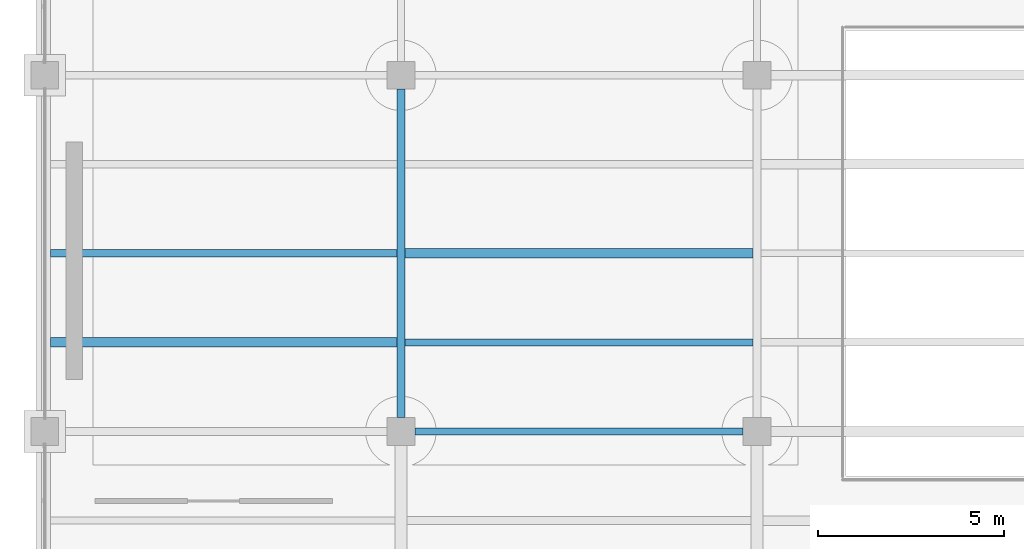
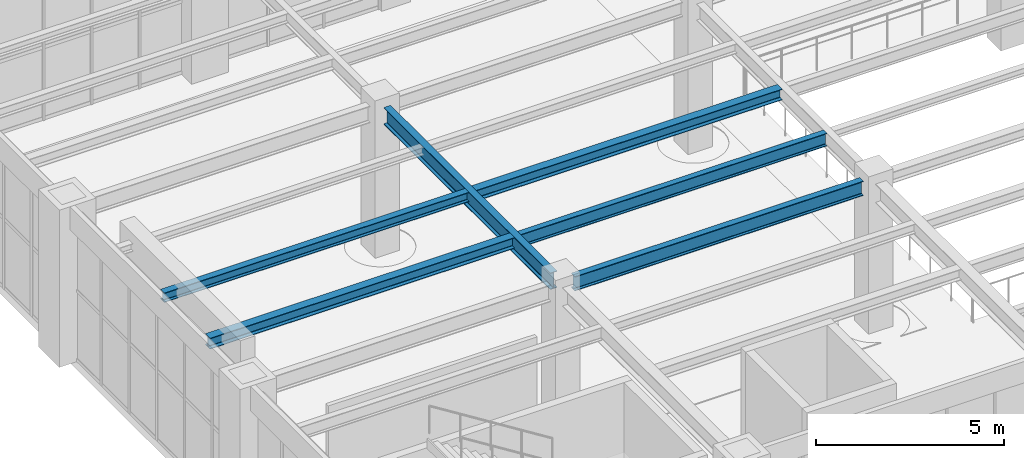
# One storey, part 10 of 174: 6 beams.
"""IFC4 building model written with IfcOpenShell, lengths in metres."""

from ifc_helpers import new_model, si_unit, direction, frame, origin, origin_2d, place, context, subcontext, project, spatial, i_section, extrude, material, material_profile, profile_set, type_object, element, save


model = new_model("IFC4")

# Units and contexts
model_context = context("Model", 3, precision=1e-05, world=origin(), true_north=direction((0.0, 1.0)))
body_context = subcontext(model_context, "Body", "Model", "MODEL_VIEW")
ifc_project = project(units=[si_unit("LENGTHUNIT", "METRE"), si_unit("AREAUNIT", "SQUARE_METRE"), si_unit("VOLUMEUNIT", "CUBIC_METRE"), si_unit("PLANEANGLEUNIT", "RADIAN"), si_unit("MASSUNIT", "GRAM", prefix="KILO")], contexts=[model_context])

# Site, building, storey
site_placement = place(None, origin())
site = spatial("IfcSite", under=ifc_project, at=site_placement, CompositionType="ELEMENT")
building_placement = place(site_placement, origin())
building = spatial("IfcBuilding", under=site, at=building_placement, Name="Mavantir Sound Aquarium", CompositionType="ELEMENT")
storey_placement = place(building_placement, frame((0.0, 0.0, 5.39990234375)))
storey = spatial("IfcBuildingStorey", under=building, at=storey_placement, Name="L01", CompositionType="ELEMENT", Elevation=5.39990234375)

# Beams
ifc_material = material(Name="Structural Steel ASTM A992 Gr50", Category="steel")
ifc_material_profile_1 = material_profile(ifc_material, i_section(OverallWidth=0.205078125, OverallDepth=0.31005859375, WebThickness=0.009521484375, FlangeThickness=0.016357421875, FilletRadius=0.012939453125, at=origin_2d()), Name="W310X74")
ifc_profile_set_1 = profile_set([ifc_material_profile_1], Name="Structural Steel ASTM A992 Gr50")
beam_type_1 = type_object("IfcBeamType", Name="BM-W310X74-I", PredefinedType="JOIST", material=ifc_profile_set_1)
beam_1_placement = place(storey_placement, frame((0.152587890625, 14.39990234375, 4.64111328125), z_axis=(1.0, 0.0, 0.0), x_axis=(0.0, 1.0, 0.0)))
element("IfcBeam", 1, at=beam_1_placement, inside=storey, type_object=beam_type_1, Name="L01 secondary floor joist SJ-31 699", PredefinedType="JOIST", context=body_context, shape_type="SweptSolid", body=[
    extrude(i_section(OverallWidth=0.205078125, OverallDepth=0.31005859375, WebThickness=0.009521484375, FlangeThickness=0.016357421875, FilletRadius=0.012939453125, at=origin_2d()), origin(), (0.0, 0.0, 1.0), 9.34130859375),
])
ifc_material_profile_2 = material_profile(ifc_material, i_section(OverallWidth=0.25390625, OverallDepth=0.35302734375, WebThickness=0.009521484375, FlangeThickness=0.016357421875, FilletRadius=0.014892578125, at=origin_2d()), Name="W360X91")
ifc_profile_set_2 = profile_set([ifc_material_profile_2], Name="Structural Steel ASTM A992 Gr50")
beam_type_2 = type_object("IfcBeamType", Name="BM-W360X91-I", PredefinedType="JOIST", material=ifc_profile_set_2)
beam_2_placement = place(storey_placement, frame((0.152587890625, 12.0, 4.61962890625), z_axis=(1.0, 0.0, 0.0), x_axis=(0.0, 1.0, 0.0)))
element("IfcBeam", 2, at=beam_2_placement, inside=storey, type_object=beam_type_2, Name="L01 secondary floor joist SJ-36 698", PredefinedType="JOIST", context=body_context, shape_type="SweptSolid", body=[
    extrude(i_section(OverallWidth=0.25390625, OverallDepth=0.35302734375, WebThickness=0.009521484375, FlangeThickness=0.016357421875, FilletRadius=0.014892578125, at=origin_2d()), origin(), (0.0, 0.0, 1.0), 9.34130859375),
])
beam_3_placement = place(storey_placement, frame((9.7060546875, 14.39990234375, 4.61962890625), z_axis=(1.0, 0.0, 0.0), x_axis=(0.0, 1.0, 0.0)))
element("IfcBeam", 3, at=beam_3_placement, inside=storey, type_object=beam_type_2, Name="L01 secondary floor joist SJ-36 702", PredefinedType="JOIST", context=body_context, shape_type="SweptSolid", body=[
    extrude(i_section(OverallWidth=0.25390625, OverallDepth=0.35302734375, WebThickness=0.009521484375, FlangeThickness=0.016357421875, FilletRadius=0.014892578125, at=origin_2d()), origin(), (0.0, 0.0, 1.0), 9.387939453125),
])
ifc_material_profile_3 = material_profile(ifc_material, i_section(OverallWidth=0.180908203125, OverallDepth=0.4169921875, WebThickness=0.010986328125, FlangeThickness=0.018310546875, FilletRadius=0.014892578125, at=origin_2d()), Name="W410X85")
ifc_profile_set_3 = profile_set([ifc_material_profile_3], Name="Structural Steel ASTM A992 Gr50")
beam_type_3 = type_object("IfcBeamType", Name="BM-W410X85-I", PredefinedType="JOIST", material=ifc_profile_set_3)
beam_4_placement = place(storey_placement, frame((9.7060546875, 12.0, 4.587646484375), z_axis=(1.0, 0.0, 0.0), x_axis=(0.0, 1.0, 0.0)))
element("IfcBeam", 4, at=beam_4_placement, inside=storey, type_object=beam_type_3, Name="L01 secondary floor joist SJ-41 701", PredefinedType="JOIST", context=body_context, shape_type="SweptSolid", body=[
    extrude(i_section(OverallWidth=0.180908203125, OverallDepth=0.4169921875, WebThickness=0.010986328125, FlangeThickness=0.018310546875, FilletRadius=0.014892578125, at=origin_2d()), origin(), (0.0, 0.0, 1.0), 9.387939453125),
])
ifc_material_profile_4 = material_profile(ifc_material, i_section(OverallWidth=0.194091796875, OverallDepth=0.468994140625, WebThickness=0.0126953125, FlangeThickness=0.0205078125, FilletRadius=0.01611328125, at=origin_2d()), Name="W460X106")
ifc_profile_set_4 = profile_set([ifc_material_profile_4], Name="Structural Steel ASTM A992 Gr50")
beam_type_4 = type_object("IfcBeamType", Name="BM-W460X106-I", PredefinedType="BEAM", material=ifc_profile_set_4)
beam_5_placement = place(storey_placement, frame((9.97509765625, 9.60009765625, 4.5615234375), z_axis=(1.0, 0.0, 0.0), x_axis=(0.0, 1.0, 0.0)))
element("IfcBeam", 5, at=beam_5_placement, inside=storey, type_object=beam_type_4, Name="L01 primary beam SB-46 1211", PredefinedType="BEAM", context=body_context, shape_type="SweptSolid", body=[
    extrude(i_section(OverallWidth=0.194091796875, OverallDepth=0.468994140625, WebThickness=0.0126953125, FlangeThickness=0.0205078125, FilletRadius=0.01611328125, at=origin_2d()), origin(), (0.0, 0.0, 1.0), 8.849853515625),
])
ifc_material_profile_5 = material_profile(ifc_material, i_section(OverallWidth=0.2119140625, OverallDepth=0.5439453125, WebThickness=0.01318359375, FlangeThickness=0.021240234375, FilletRadius=0.01806640625, at=origin_2d()), Name="W530X123")
ifc_profile_set_5 = profile_set([ifc_material_profile_5], Name="Structural Steel ASTM A992 Gr50")
beam_type_5 = type_object("IfcBeamType", Name="BM-W530X123-I", PredefinedType="BEAM", material=ifc_profile_set_5)
beam_6_placement = place(storey_placement, frame((9.60009765625, 9.97509765625, 4.524169921875), z_axis=(0.0, 1.0, 0.0), x_axis=(-1.0, 0.0, 0.0)))
element("IfcBeam", 6, at=beam_6_placement, inside=storey, type_object=beam_type_5, Name="L01 primary girder SB-53 1226", PredefinedType="BEAM", context=body_context, shape_type="SweptSolid", body=[
    extrude(i_section(OverallWidth=0.2119140625, OverallDepth=0.5439453125, WebThickness=0.01318359375, FlangeThickness=0.021240234375, FilletRadius=0.01806640625, at=origin_2d()), origin(), (0.0, 0.0, 1.0), 8.849853515625),
])

save(model, "model.ifc")
